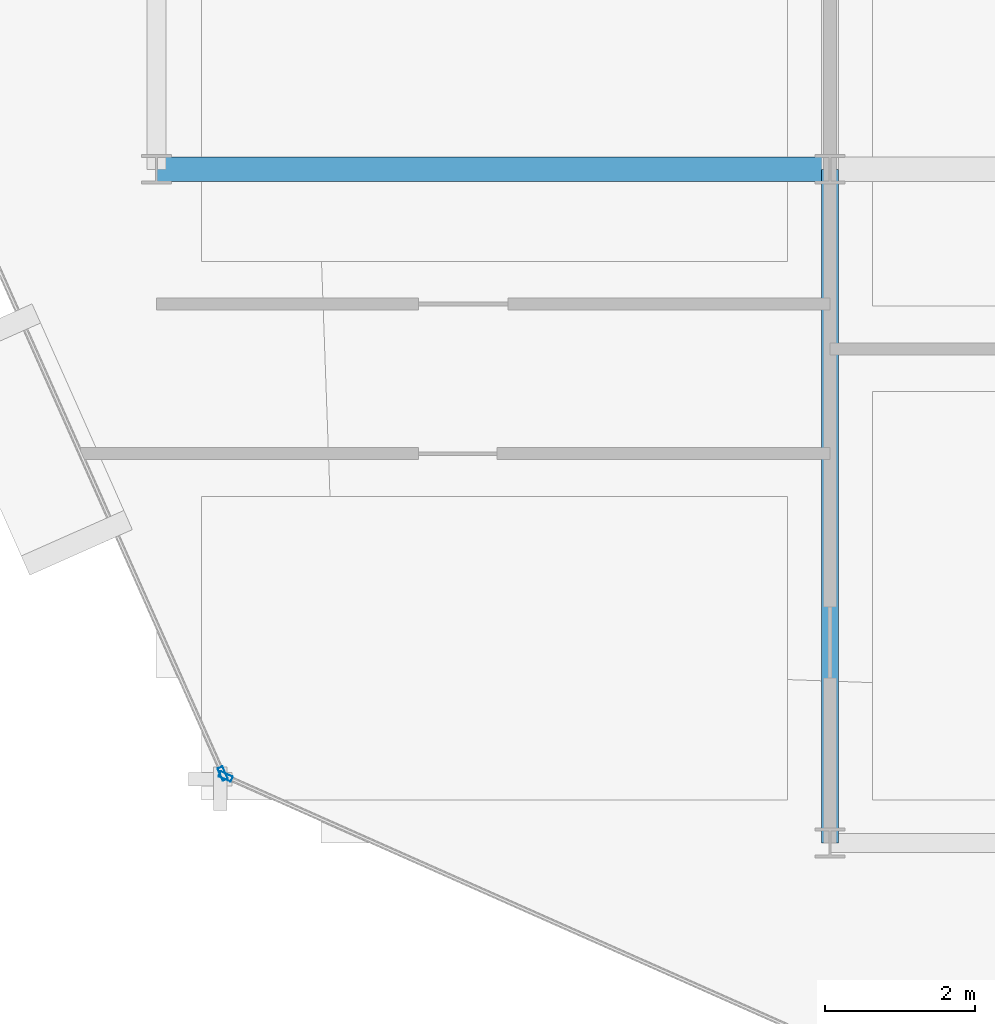
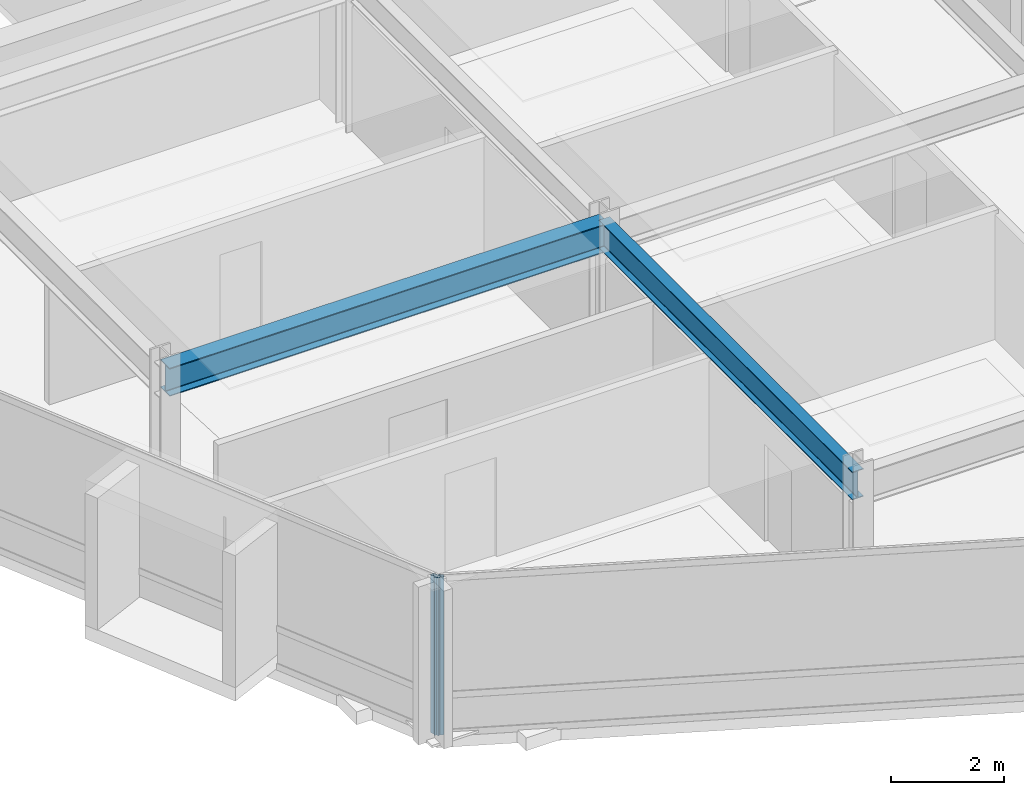
# One storey, part 2 of 28: 2 beams, 2 members, 2 elements without a shape of their own.
"""IFC4 building model written with IfcOpenShell, lengths in metres."""

from ifc_helpers import new_model, si_unit, direction, frame, origin, origin_2d, place, context, subcontext, project, spatial, hollow_rectangle, i_section, extrude, material, layer, layer_set, material_profile, profile_set, type_object, element, aggregate, save


model = new_model("IFC4")

# Units and contexts
model_context = context("Model", 3, precision=1e-05, world=origin(), true_north=direction((0.0, 1.0)))
body_context = subcontext(model_context, "Body", "Model", "MODEL_VIEW")
ifc_project = project(units=[si_unit("LENGTHUNIT", "METRE"), si_unit("AREAUNIT", "SQUARE_METRE"), si_unit("VOLUMEUNIT", "CUBIC_METRE"), si_unit("PLANEANGLEUNIT", "RADIAN"), si_unit("MASSUNIT", "GRAM", prefix="KILO")], contexts=[model_context])

# Site, building, storey
site_placement = place(None, origin())
site = spatial("IfcSite", under=ifc_project, at=site_placement, CompositionType="ELEMENT")
building_placement = place(site_placement, origin())
building = spatial("IfcBuilding", under=site, at=building_placement, Name="Solvaryn Broadcast Tower", CompositionType="ELEMENT")
storey_placement = place(building_placement, frame((0.0, 0.0, 209.89990234375)))
storey = spatial("IfcBuildingStorey", under=building, at=storey_placement, Name="L52", CompositionType="ELEMENT", Elevation=209.89990234375)

# Beams
ifc_material_1 = material(Name="Steel ASTM A992 Grade 50", Category="steel")
ifc_material_profile_1 = material_profile(ifc_material_1, i_section(OverallWidth=0.323974609375, OverallDepth=0.611083984375, WebThickness=0.0126953125, FlangeThickness=0.01904296875, FilletRadius=0.014892578125, at=origin_2d()))
ifc_profile_set_1 = profile_set([ifc_material_profile_1], Name="Steel ASTM A992 Grade 50")
beam_type_1 = type_object("IfcBeamType", Name="BM-B1-W24X104", PredefinedType="BEAM", material=ifc_profile_set_1)
beam_1_placement = place(storey_placement, frame((9.0, 18.0, 3.114501953125), z_axis=(1.0, 0.0, 0.0), x_axis=(0.0, 1.0, 0.0)))
element("IfcBeam", 1, at=beam_1_placement, inside=storey, type_object=beam_type_1, Name="L52 Primary Beam X (9-18 @ Y=18)", PredefinedType="BEAM", context=body_context, shape_type="SweptSolid", body=[
    extrude(i_section(OverallWidth=0.323974609375, OverallDepth=0.611083984375, WebThickness=0.0126953125, FlangeThickness=0.01904296875, FilletRadius=0.014892578125, at=origin_2d()), origin(), (0.0, 0.0, 1.0), 9.0),
])
ifc_material_2 = material(Name="Steel ASTM A992 Grade 50", Category="steel")
ifc_material_profile_2 = material_profile(ifc_material_2, i_section(OverallWidth=0.22802734375, OverallDepth=0.60791015625, WebThickness=0.01123046875, FlangeThickness=0.017333984375, FilletRadius=0.014892578125, at=origin_2d()))
ifc_profile_set_2 = profile_set([ifc_material_profile_2], Name="Steel ASTM A992 Grade 50")
beam_type_2 = type_object("IfcBeamType", Name="BM-B2-W24X76", PredefinedType="BEAM", material=ifc_profile_set_2)
beam_2_placement = place(storey_placement, frame((18.0, 9.0, 3.1162109375), z_axis=(0.0, 1.0, 0.0), x_axis=(-1.0, 0.0, 0.0)))
element("IfcBeam", 2, at=beam_2_placement, inside=storey, type_object=beam_type_2, Name="L52 Primary Beam Y (9-18 @ X=18)", PredefinedType="BEAM", context=body_context, shape_type="SweptSolid", body=[
    extrude(i_section(OverallWidth=0.22802734375, OverallDepth=0.60791015625, WebThickness=0.01123046875, FlangeThickness=0.017333984375, FilletRadius=0.014892578125, at=origin_2d()), origin(), (0.0, 0.0, 1.0), 9.0),
])

# Curtain wall, member
ifc_material_3 = material(Name="Aluminium and Terracotta Unitised Curtain Wall", Category="masonry")
ifc_layer_1 = layer(ifc_material_3, 0.239990234375)
ifc_layer_set_1 = layer_set([ifc_layer_1], Name="CW-SYS3-BAYBOX")
curtain_wall_type_1 = type_object("IfcCurtainWallType", Name="CW-SYS3-BAYBOX", PredefinedType="NOTDEFINED", material=ifc_layer_set_1)
curtain_wall_1_placement = place(storey_placement, origin())
curtain_wall_1 = element("IfcCurtainWall", 3, at=curtain_wall_1_placement, inside=storey, type_object=curtain_wall_type_1, Name="L52 Curtain Wall DR2", PredefinedType="NOTDEFINED")
ifc_material_4 = material(Name="Anodised Aluminium 6063-T6", Category="aluminium")
ifc_material_profile_3 = material_profile(ifc_material_4, hollow_rectangle(XDim=0.074951171875, YDim=0.179931640625, WallThickness=0.00390625, InnerFilletRadius=0.00390625, OuterFilletRadius=0.008056640625, at=origin_2d()))
ifc_profile_set_3 = profile_set([ifc_material_profile_3], Name="Anodised Aluminium 6063-T6")
member_type = type_object("IfcMemberType", Name="CW-MUL-180", PredefinedType="MULLION", material=ifc_profile_set_3)
member_1_placement = place(storey_placement, frame((9.8857421875, 9.925537109375, 0.0), z_axis=(0.0, 0.0, 1.0), x_axis=(0.913916902365, 0.405901337237, 0.0)))
member_1 = element("IfcMember", 4, at=member_1_placement, type_object=member_type, Name="CWS3 mullion 2", PredefinedType="MULLION", context=body_context, shape_type="SweptSolid", body=[
    extrude(hollow_rectangle(XDim=0.074951171875, YDim=0.179931640625, WallThickness=0.00390625, InnerFilletRadius=0.00390625, OuterFilletRadius=0.008056640625, at=origin_2d()), origin(), (0.0, 0.0, 1.0), 3.420166015625),
])
aggregate(curtain_wall_1, [member_1])

ifc_material_5 = material(Name="Aluminium and Terracotta Unitised Curtain Wall", Category="masonry")
ifc_layer_2 = layer(ifc_material_5, 0.199951171875)
ifc_layer_set_2 = layer_set([ifc_layer_2], Name="CW-SYS2-LOWMID")
curtain_wall_type_2 = type_object("IfcCurtainWallType", Name="CW-SYS2-LOWMID", PredefinedType="NOTDEFINED", material=ifc_layer_set_2)
curtain_wall_2_placement = place(storey_placement, origin())
curtain_wall_2 = element("IfcCurtainWall", 5, at=curtain_wall_2_placement, inside=storey, type_object=curtain_wall_type_2, Name="L52 Curtain Wall DR3", PredefinedType="NOTDEFINED")
member_2_placement = place(storey_placement, frame((9.925537109375, 9.8857421875, 0.0), z_axis=(0.0, 0.0, 1.0), x_axis=(0.405901337237, 0.913916902365, 0.0)))
member_2 = element("IfcMember", 6, at=member_2_placement, type_object=member_type, Name="CWS2 mullion 1", PredefinedType="MULLION", context=body_context, shape_type="SweptSolid", body=[
    extrude(hollow_rectangle(XDim=0.074951171875, YDim=0.179931640625, WallThickness=0.00390625, InnerFilletRadius=0.00390625, OuterFilletRadius=0.008056640625, at=origin_2d()), origin(), (0.0, 0.0, 1.0), 3.420166015625),
])
aggregate(curtain_wall_2, [member_2])

save(model, "model.ifc")
